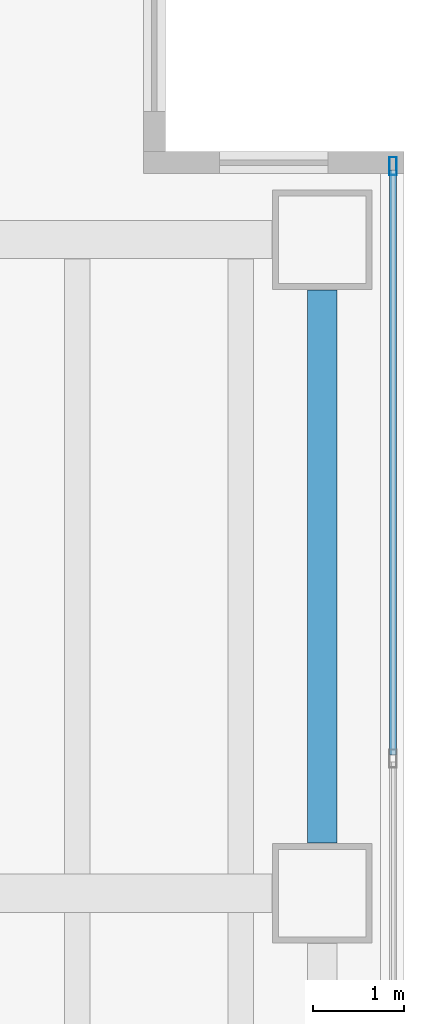
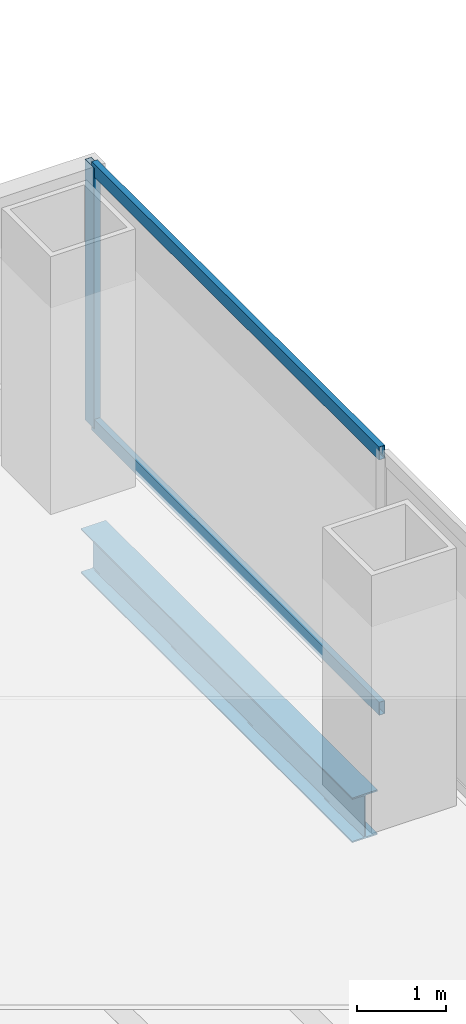
# One storey, part 13 of 25: 3 members, 1 beam, 1 element without a shape of its own.
"""IFC4 building model written with IfcOpenShell, lengths in metres."""

from ifc_helpers import new_model, si_unit, direction, frame, origin, origin_2d, place, context, subcontext, project, spatial, hollow_rectangle, i_section, extrude, material, material_profile, profile_set, type_object, element, aggregate, save


model = new_model("IFC4")

# Units and contexts
model_context = context("Model", 3, precision=1e-05, world=origin(), true_north=direction((0.0, 1.0)))
body_context = subcontext(model_context, "Body", "Model", "MODEL_VIEW")
ifc_project = project(units=[si_unit("LENGTHUNIT", "METRE"), si_unit("AREAUNIT", "SQUARE_METRE"), si_unit("VOLUMEUNIT", "CUBIC_METRE"), si_unit("PLANEANGLEUNIT", "RADIAN"), si_unit("MASSUNIT", "GRAM", prefix="KILO")], contexts=[model_context])

# Site, building, storey
site_placement = place(None, origin())
site = spatial("IfcSite", under=ifc_project, at=site_placement, CompositionType="ELEMENT")
building_placement = place(site_placement, origin())
building = spatial("IfcBuilding", under=site, at=building_placement, Name="Cobrela Telecom Tower", CompositionType="ELEMENT")
storey_placement = place(building_placement, frame((0.0, 0.0, 42.699951171875)))
storey = spatial("IfcBuildingStorey", under=building, at=storey_placement, Name="L10", CompositionType="ELEMENT", Elevation=42.699951171875)

# Beam
ifc_material_1 = material(Name="Steel ASTM A992 Grade 50", Category="steel")
ifc_material_profile_1 = material_profile(ifc_material_1, i_section(OverallWidth=0.324951171875, OverallDepth=0.612060546875, WebThickness=0.0126953125, FlangeThickness=0.01904296875, FilletRadius=0.014892578125, at=origin_2d()), Name="W24X104")
ifc_profile_set_1 = profile_set([ifc_material_profile_1], Name="Steel ASTM A992 Grade 50")
beam_type = type_object("IfcBeamType", Name="BM-SPAND-02", PredefinedType="SPANDREL", material=ifc_profile_set_1)
beam_placement = place(storey_placement, frame((49.5, 14.955078125, -0.5859375), z_axis=(0.0, 1.0, 0.0), x_axis=(-1.0, 0.0, 0.0)))
element("IfcBeam", 1, at=beam_placement, inside=storey, type_object=beam_type, Name="L10 Perimeter Spandrel Y57", PredefinedType="SPANDREL", context=body_context, shape_type="SweptSolid", body=[
    extrude(i_section(OverallWidth=0.324951171875, OverallDepth=0.612060546875, WebThickness=0.0126953125, FlangeThickness=0.01904296875, FilletRadius=0.014892578125, at=origin_2d()), origin(), (0.0, 0.0, 1.0), 6.08984375),
])

# Curtain wall, members
ifc_material_2 = material(Name="Anodized Bronze Aluminium 6063-T6", Category="aluminium")
curtain_wall_type = type_object("IfcCurtainWallType", Name="CW-SYS-DATA", PredefinedType="USERDEFINED", material=ifc_material_2)
curtain_wall_placement = place(storey_placement, origin())
curtain_wall = element("IfcCurtainWall", 2, at=curtain_wall_placement, inside=storey, type_object=curtain_wall_type, Name="L10 Unitised Bronze Curtain Wall 14", ObjectType="UNITISED CURTAIN WALL", PredefinedType="USERDEFINED")
ifc_material_profile_2 = material_profile(ifc_material_2, hollow_rectangle(XDim=0.080078125, YDim=0.199951171875, WallThickness=0.00390625, at=origin_2d()), Name="ALU 80x200x4")
ifc_profile_set_2 = profile_set([ifc_material_profile_2], Name="Anodized Bronze Aluminium 6063-T6")
member_type_1 = type_object("IfcMemberType", Name="CW-SYS-DATA-MUL", PredefinedType="MULLION", material=ifc_profile_set_2)
member_1_placement = place(storey_placement, frame((50.280029296875, 22.409912109375, 0.0), z_axis=(0.0, 0.0, 1.0), x_axis=(1.0, 0.0, 0.0)))
member_1 = element("IfcMember", 3, at=member_1_placement, type_object=member_type_1, Name="CW-DATA mullion 1", PredefinedType="MULLION", context=body_context, shape_type="SweptSolid", body=[
    extrude(hollow_rectangle(XDim=0.080078125, YDim=0.199951171875, WallThickness=0.00390625, at=origin_2d()), origin(), (0.0, 0.0, 1.0), 3.570068359375),
])
ifc_material_profile_3 = material_profile(ifc_material_2, hollow_rectangle(XDim=0.074951171875, YDim=0.179931640625, WallThickness=0.00390625, at=origin_2d()), Name="ALU 75x180x4")
ifc_profile_set_3 = profile_set([ifc_material_profile_3], Name="Anodized Bronze Aluminium 6063-T6")
member_type_2 = type_object("IfcMemberType", Name="CW-SYS-DATA-TRN", PredefinedType="USERDEFINED", material=ifc_profile_set_3)
member_2_placement = place(storey_placement, frame((50.280029296875, 22.3701171875, 0.03759765625), z_axis=(0.0, -1.0, 0.0), x_axis=(1.0, 0.0, 0.0)))
member_2 = element("IfcMember", 4, at=member_2_placement, type_object=member_type_2, Name="CW-DATA transom 1.1", ObjectType="TRANSOM", PredefinedType="USERDEFINED", context=body_context, shape_type="SweptSolid", body=[
    extrude(hollow_rectangle(XDim=0.074951171875, YDim=0.179931640625, WallThickness=0.00390625, at=origin_2d()), origin(), (0.0, 0.0, 1.0), 6.44677734375),
])
member_3_placement = place(storey_placement, frame((50.280029296875, 22.3701171875, 3.532470703125), z_axis=(0.0, -1.0, 0.0), x_axis=(1.0, 0.0, 0.0)))
member_3 = element("IfcMember", 5, at=member_3_placement, type_object=member_type_2, Name="CW-DATA transom 1.2", ObjectType="TRANSOM", PredefinedType="USERDEFINED", context=body_context, shape_type="SweptSolid", body=[
    extrude(hollow_rectangle(XDim=0.074951171875, YDim=0.179931640625, WallThickness=0.00390625, at=origin_2d()), origin(), (0.0, 0.0, 1.0), 6.44677734375),
])
aggregate(curtain_wall, [member_1, member_2, member_3])

save(model, "model.ifc")
